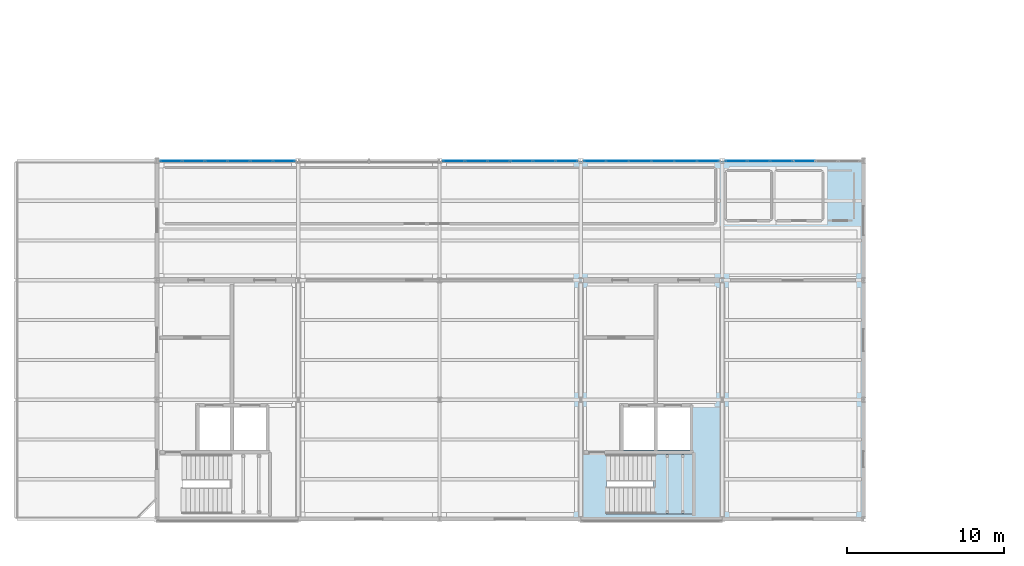
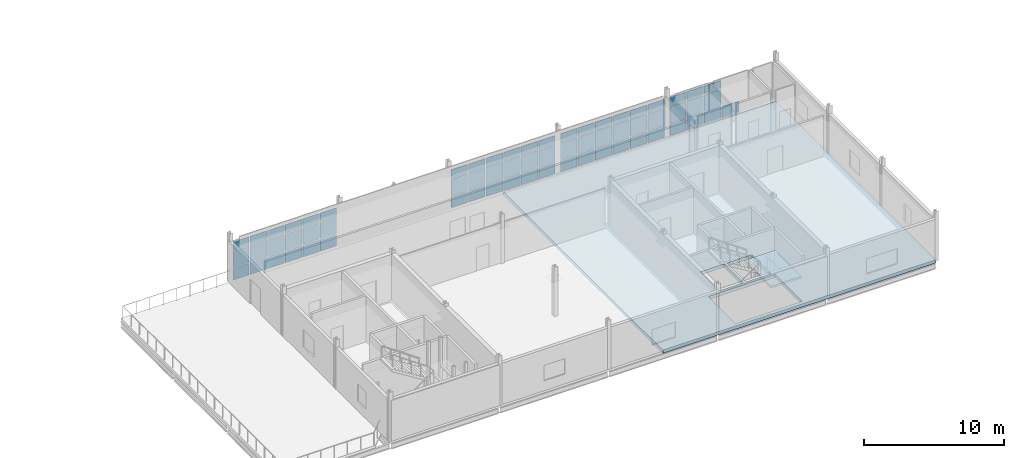
# One storey, part 33 of 48: 64 plates, 2 slabs, 5 elements without a shape of their own.
"""IFC4 building model written with IfcOpenShell, lengths in metres."""

import ifcopenshell
import ifcopenshell.guid

model = None  # the IFC model being written
_history = None  # IfcOwnerHistory: only IFC2X3 demands one
_inside = {}  # id of a spatial element -> (the spatial element, [elements in it])
_under = {}  # id of a project, library or spatial element -> (it, [spatial elements below it])
_declared = {}  # id of a project -> (the project, [libraries it declares])
_typed = {}  # id of a type object -> (the type object, [elements of that type])
_made_of = {}  # id of a material, layer set ... -> (it, [elements and type objects made of it])


def new_model(schema):
    """Start an empty IFC model of exactly this schema.

    Asked for "IFC4X3", IfcOpenShell would pick the latest addendum, in which some entities
    have other attributes; the version numbers below select the first issue.
    IFC2X3 requires an IfcOwnerHistory on every rooted entity: one is made here for all.
    """
    global model, _history
    if schema == "IFC4X3":
        model = ifcopenshell.file(schema_version=(4, 3, 0, 0))
    else:
        model = ifcopenshell.file(schema=schema)
    _inside.clear()
    _under.clear()
    _declared.clear()
    _typed.clear()
    _made_of.clear()
    _history = None
    if model.schema == "IFC2X3":
        org = make("IfcOrganization", Name="unknown")
        user = make(
            "IfcPersonAndOrganization",
            ThePerson=make("IfcPerson", FamilyName="unknown"),
            TheOrganization=org,
        )
        app = make(
            "IfcApplication",
            ApplicationDeveloper=org,
            Version="unknown",
            ApplicationFullName="unknown",
            ApplicationIdentifier="unknown",
        )
        _history = make(
            "IfcOwnerHistory",
            OwningUser=user,
            OwningApplication=app,
            ChangeAction="ADDED",
            CreationDate=0,
        )
    return model


def make(cls, **values):
    """One entity of the class cls with the attributes given. An attribute that is None is left unset."""
    return model.create_entity(
        cls, **{name: value for name, value in values.items() if value is not None}
    )


def rooted(cls, **values):
    """An entity with a GlobalId (a new one), such as an element, a storey or a relation."""
    return make(cls, GlobalId=ifcopenshell.guid.new(), OwnerHistory=_history, **values)


def si_unit(unit_type, name, prefix=None):
    """IfcSIUnit, for example si_unit("LENGTHUNIT", "METRE", prefix="MILLI")."""
    return make("IfcSIUnit", UnitType=unit_type, Prefix=prefix, Name=name)


def assignment(units):
    """IfcUnitAssignment: the units of a project."""
    return None if units is None else make("IfcUnitAssignment", Units=units)


def point(xyz):
    """IfcCartesianPoint."""
    return None if xyz is None else make("IfcCartesianPoint", Coordinates=xyz)


def direction(xyz):
    """IfcDirection."""
    return None if xyz is None else make("IfcDirection", DirectionRatios=xyz)


def frame(location, z_axis=None, x_axis=None):
    """IfcAxis2Placement3D, a coordinate frame: its origin and axes. An axis left out is left unset."""
    return make(
        "IfcAxis2Placement3D",
        Location=point(location),
        Axis=direction(z_axis),
        RefDirection=direction(x_axis),
    )


def frame_2d(location, x_axis=None):
    """IfcAxis2Placement2D, a coordinate frame in the plane: its origin and x axis."""
    return make(
        "IfcAxis2Placement2D", Location=point(location), RefDirection=direction(x_axis)
    )


def origin():
    """The frame at (0, 0, 0) with its axes left unset."""
    return frame((0.0, 0.0, 0.0))


def origin_2d():
    """The frame at (0, 0) in the plane with its x axis left unset."""
    return frame_2d((0.0, 0.0))


def place(relative_to, where):
    """IfcLocalPlacement: puts the frame where relative to a parent placement (None: the world)."""
    return make(
        "IfcLocalPlacement", PlacementRelTo=relative_to, RelativePlacement=where
    )


def context(
    kind, dimensions, precision=None, world=None, true_north=None, identifier=None
):
    """IfcGeometricRepresentationContext, for example the 3D "Model" context."""
    return make(
        "IfcGeometricRepresentationContext",
        ContextIdentifier=identifier,
        ContextType=kind,
        CoordinateSpaceDimension=dimensions,
        Precision=precision,
        WorldCoordinateSystem=world,
        TrueNorth=true_north,
    )


def subcontext(parent, identifier, kind, view, scale=None):
    """IfcGeometricRepresentationSubContext, for example "Body" below "Model"."""
    return make(
        "IfcGeometricRepresentationSubContext",
        ContextIdentifier=identifier,
        ContextType=kind,
        ParentContext=parent,
        TargetScale=scale,
        TargetView=view,
    )


def project(units=None, contexts=None):
    """IfcProject with its units and contexts."""
    return rooted(
        "IfcProject",
        Name="project",
        RepresentationContexts=contexts,
        UnitsInContext=assignment(units),
    )


def spatial(cls, under=None, at=None, **own):
    """A site, building, storey or space (cls), placed at a placement, below another one or the project."""
    s = rooted(cls, ObjectPlacement=at, **own)
    if under is not None:
        _under.setdefault(under.id(), (under, []))[1].append(s)
    return s


def polyline(points):
    """IfcPolyline through the points."""
    return make("IfcPolyline", Points=[point(p) for p in points])


def profile(cls, at=None, kind="AREA", **sizes):
    """A parametric profile (cls). Its sizes go by their IFC names, for example OverallWidth=200.0."""
    return make(cls, ProfileType=kind, Position=at, **sizes)


def rectangle(**sizes):
    """IfcRectangleProfileDef."""
    return profile("IfcRectangleProfileDef", **sizes)


def outline(outer, holes=None, kind="AREA"):
    """IfcArbitraryClosedProfileDef: a profile drawn as a closed curve; with holes, ...WithVoids."""
    if holes is None:
        return make("IfcArbitraryClosedProfileDef", ProfileType=kind, OuterCurve=outer)
    return make(
        "IfcArbitraryProfileDefWithVoids",
        ProfileType=kind,
        OuterCurve=outer,
        InnerCurves=holes,
    )


def extrude(swept, where, along, depth):
    """IfcExtrudedAreaSolid: the profile swept, set in the frame where, extruded along a direction by depth."""
    return make(
        "IfcExtrudedAreaSolid",
        SweptArea=swept,
        Position=where,
        ExtrudedDirection=direction(along),
        Depth=depth,
    )


def shape(context_of_items, identifier, shape_type, items):
    """IfcShapeRepresentation: the items that make up one representation, for example the "Body"."""
    return make(
        "IfcShapeRepresentation",
        ContextOfItems=context_of_items,
        RepresentationIdentifier=identifier,
        RepresentationType=shape_type,
        Items=items,
    )


def material(Name=None, Category=None):
    """IfcMaterial."""
    return make("IfcMaterial", Name=Name, Category=Category)


def layer(
    of_material, thickness, ventilated=None, Name=None, Category=None, Priority=None
):
    """IfcMaterialLayer: one layer of a wall or slab, of a material (None: an air gap)."""
    return make(
        "IfcMaterialLayer",
        Material=of_material,
        LayerThickness=thickness,
        IsVentilated=ventilated,
        Name=Name,
        Category=Category,
        Priority=Priority,
    )


def layer_set(layers, Name=None):
    """IfcMaterialLayerSet."""
    return make("IfcMaterialLayerSet", MaterialLayers=layers, LayerSetName=Name)


def made_of(thing, what):
    """Note that an element or type object is made of a material, layer set ...; save() writes the relation."""
    if what is not None:
        _made_of.setdefault(what.id(), (what, []))[1].append(thing)
    return thing


def type_object(cls, material=None, **own):
    """A type object (cls), such as IfcWallType, which elements share."""
    return made_of(rooted(cls, **own), material)


def element(
    cls,
    number,
    at=None,
    inside=None,
    cuts=None,
    type_object=None,
    material=None,
    context=None,
    identifier="Body",
    shape_type=None,
    held_by="IfcProductDefinitionShape",
    body=None,
    shapes=None,
    **own,
):
    """One element of the class cls, such as IfcWall. Its Tag is "e" and its number.

    at: its placement. inside: the storey or other place that contains it. cuts: it is an
    opening in that element (IfcRelVoidsElement). A single representation is given by context,
    identifier, shape_type and body (its items); several are given by shapes. held_by: the class
    of the entity that holds the representations. save() writes the other relations.
    """
    e = rooted(cls, Tag="e%d" % number, ObjectPlacement=at, **own)
    if body is not None:
        shapes = [shape(context, identifier, shape_type, body)]
    if shapes is not None:
        e.Representation = make(held_by, Representations=shapes)
    if inside is not None:
        _inside.setdefault(inside.id(), (inside, []))[1].append(e)
    if cuts is not None:
        rooted(
            "IfcRelVoidsElement", RelatingBuildingElement=cuts, RelatedOpeningElement=e
        )
    if type_object is not None:
        _typed.setdefault(type_object.id(), (type_object, []))[1].append(e)
    return made_of(e, material)


def aggregate(whole, parts):
    """IfcRelAggregates: a whole, such as a stair, and the parts it consists of."""
    return rooted("IfcRelAggregates", RelatingObject=whole, RelatedObjects=parts)


def save(model, path):
    """Write the relations noted so far, then the file.

    IfcRelAggregates (storeys below a building ...), IfcRelContainedInSpatialStructure (elements
    in a storey), IfcRelDefinesByType, IfcRelAssociatesMaterial and IfcRelDeclares: one each for
    every whole, place, type object, material and project.
    """
    for whole, parts in _under.values():
        aggregate(whole, parts)
    for where, things in _inside.values():
        rooted(
            "IfcRelContainedInSpatialStructure",
            RelatedElements=things,
            RelatingStructure=where,
        )
    for kind, things in _typed.values():
        rooted("IfcRelDefinesByType", RelatedObjects=things, RelatingType=kind)
    for what, things in _made_of.values():
        rooted("IfcRelAssociatesMaterial", RelatedObjects=things, RelatingMaterial=what)
    for by, libraries in _declared.values():
        rooted("IfcRelDeclares", RelatingContext=by, RelatedDefinitions=libraries)
    model.write(path)


model = new_model("IFC4")

# Units and contexts
model_context = context("Model", 3, precision=1e-05, world=origin(), true_north=direction((0.0, 1.0)))
body_context = subcontext(model_context, "Body", "Model", "MODEL_VIEW")
ifc_project = project(units=[si_unit("LENGTHUNIT", "METRE"), si_unit("AREAUNIT", "SQUARE_METRE"), si_unit("VOLUMEUNIT", "CUBIC_METRE"), si_unit("PLANEANGLEUNIT", "RADIAN"), si_unit("MASSUNIT", "GRAM", prefix="KILO")], contexts=[model_context])

# Site, building, storey
site_placement = place(None, origin())
site = spatial("IfcSite", under=ifc_project, at=site_placement, CompositionType="ELEMENT")
building_placement = place(site_placement, origin())
building = spatial("IfcBuilding", under=site, at=building_placement, Name="Caisbarro Railhouse Central Library", CompositionType="ELEMENT")
storey_placement = place(building_placement, frame((0.0, 0.0, 18.0)))
storey = spatial("IfcBuildingStorey", under=building, at=storey_placement, Name="L04", CompositionType="ELEMENT", Elevation=18.0)

# Curtain wall, plates
ifc_material_1 = material(Name="Anodised architectural aluminium", Category="aluminium")
curtain_wall_type = type_object("IfcCurtainWallType", Name="CW-CW02", PredefinedType="NOTDEFINED", material=ifc_material_1)
curtain_wall_1_placement = place(storey_placement, origin())
curtain_wall_1 = element("IfcCurtainWall", 1, at=curtain_wall_1_placement, inside=storey, type_object=curtain_wall_type, Name="CW02 curtain wall L04 #67", PredefinedType="NOTDEFINED")
ifc_material_2 = material(Name="Double low-e laminated solar-control glass", Category="glass")
ifc_layer_1 = layer(ifc_material_2, 0.01806640625, Name="Double low-e laminated solar-control glass")
ifc_layer_set_1 = layer_set([ifc_layer_1], Name="Double low-e laminated solar-control glass")
plate_type_1 = type_object("IfcPlateType", Name="CWP-CP18", PredefinedType="CURTAIN_PANEL", material=ifc_layer_set_1)
plate_1_placement = place(storey_placement, frame((63.902099609375, 22.800048828125, 0.0751953125), z_axis=(0.0, 0.0, 1.0), x_axis=(1.0, 0.0, 0.0)))
plate_1 = element("IfcPlate", 2, at=plate_1_placement, type_object=plate_type_1, Name="CW02 panel 1.1", PredefinedType="CURTAIN_PANEL", context=body_context, shape_type="SweptSolid", body=[
    extrude(rectangle(XDim=1.334228515625, YDim=0.01806640625, at=origin_2d()), origin(), (0.0, 0.0, 1.0), 1.007568359375),
])
plate_2_placement = place(storey_placement, frame((63.902099609375, 22.800048828125, 1.15771484375), z_axis=(0.0, 0.0, 1.0), x_axis=(1.0, 0.0, 0.0)))
plate_2 = element("IfcPlate", 3, at=plate_2_placement, type_object=plate_type_1, Name="CW02 panel 1.2", PredefinedType="CURTAIN_PANEL", context=body_context, shape_type="SweptSolid", body=[
    extrude(rectangle(XDim=1.334228515625, YDim=0.01806640625, at=origin_2d()), origin(), (0.0, 0.0, 1.0), 1.425048828125),
])
plate_3_placement = place(storey_placement, frame((63.902099609375, 22.800048828125, 2.65771484375), z_axis=(0.0, 0.0, 1.0), x_axis=(1.0, 0.0, 0.0)))
plate_3 = element("IfcPlate", 4, at=plate_3_placement, type_object=plate_type_1, Name="CW02 panel 1.3", PredefinedType="CURTAIN_PANEL", context=body_context, shape_type="SweptSolid", body=[
    extrude(rectangle(XDim=1.334228515625, YDim=0.01806640625, at=origin_2d()), origin(), (0.0, 0.0, 1.0), 0.737548828125),
])
plate_4_placement = place(storey_placement, frame((65.330078125, 22.800048828125, 0.0751953125), z_axis=(0.0, 0.0, 1.0), x_axis=(1.0, 0.0, 0.0)))
plate_4 = element("IfcPlate", 5, at=plate_4_placement, type_object=plate_type_1, Name="CW02 panel 2.1", PredefinedType="CURTAIN_PANEL", context=body_context, shape_type="SweptSolid", body=[
    extrude(rectangle(XDim=1.37158203125, YDim=0.01806640625, at=origin_2d()), origin(), (0.0, 0.0, 1.0), 1.007568359375),
])
plate_5_placement = place(storey_placement, frame((65.330078125, 22.800048828125, 1.15771484375), z_axis=(0.0, 0.0, 1.0), x_axis=(1.0, 0.0, 0.0)))
plate_5 = element("IfcPlate", 6, at=plate_5_placement, type_object=plate_type_1, Name="CW02 panel 2.2", PredefinedType="CURTAIN_PANEL", context=body_context, shape_type="SweptSolid", body=[
    extrude(rectangle(XDim=1.37158203125, YDim=0.01806640625, at=origin_2d()), origin(), (0.0, 0.0, 1.0), 1.425048828125),
])
plate_6_placement = place(storey_placement, frame((65.330078125, 22.800048828125, 2.65771484375), z_axis=(0.0, 0.0, 1.0), x_axis=(1.0, 0.0, 0.0)))
plate_6 = element("IfcPlate", 7, at=plate_6_placement, type_object=plate_type_1, Name="CW02 panel 2.3", PredefinedType="CURTAIN_PANEL", context=body_context, shape_type="SweptSolid", body=[
    extrude(rectangle(XDim=1.37158203125, YDim=0.01806640625, at=origin_2d()), origin(), (0.0, 0.0, 1.0), 0.737548828125),
])
plate_7_placement = place(storey_placement, frame((66.776611328125, 22.800048828125, 0.0751953125), z_axis=(0.0, 0.0, 1.0), x_axis=(1.0, 0.0, 0.0)))
plate_7 = element("IfcPlate", 8, at=plate_7_placement, type_object=plate_type_1, Name="CW02 panel 3.1", PredefinedType="CURTAIN_PANEL", context=body_context, shape_type="SweptSolid", body=[
    extrude(rectangle(XDim=1.37158203125, YDim=0.01806640625, at=origin_2d()), origin(), (0.0, 0.0, 1.0), 1.007568359375),
])
plate_8_placement = place(storey_placement, frame((66.776611328125, 22.800048828125, 1.15771484375), z_axis=(0.0, 0.0, 1.0), x_axis=(1.0, 0.0, 0.0)))
plate_8 = element("IfcPlate", 9, at=plate_8_placement, type_object=plate_type_1, Name="CW02 panel 3.2", PredefinedType="CURTAIN_PANEL", context=body_context, shape_type="SweptSolid", body=[
    extrude(rectangle(XDim=1.37158203125, YDim=0.01806640625, at=origin_2d()), origin(), (0.0, 0.0, 1.0), 1.425048828125),
])
plate_9_placement = place(storey_placement, frame((66.776611328125, 22.800048828125, 2.65771484375), z_axis=(0.0, 0.0, 1.0), x_axis=(1.0, 0.0, 0.0)))
plate_9 = element("IfcPlate", 10, at=plate_9_placement, type_object=plate_type_1, Name="CW02 panel 3.3", PredefinedType="CURTAIN_PANEL", context=body_context, shape_type="SweptSolid", body=[
    extrude(rectangle(XDim=1.37158203125, YDim=0.01806640625, at=origin_2d()), origin(), (0.0, 0.0, 1.0), 0.737548828125),
])
plate_10_placement = place(storey_placement, frame((68.223388671875, 22.800048828125, 0.0751953125), z_axis=(0.0, 0.0, 1.0), x_axis=(1.0, 0.0, 0.0)))
plate_10 = element("IfcPlate", 11, at=plate_10_placement, type_object=plate_type_1, Name="CW02 panel 4.1", PredefinedType="CURTAIN_PANEL", context=body_context, shape_type="SweptSolid", body=[
    extrude(rectangle(XDim=1.37158203125, YDim=0.01806640625, at=origin_2d()), origin(), (0.0, 0.0, 1.0), 1.007568359375),
])
plate_11_placement = place(storey_placement, frame((68.223388671875, 22.800048828125, 1.15771484375), z_axis=(0.0, 0.0, 1.0), x_axis=(1.0, 0.0, 0.0)))
plate_11 = element("IfcPlate", 12, at=plate_11_placement, type_object=plate_type_1, Name="CW02 panel 4.2", PredefinedType="CURTAIN_PANEL", context=body_context, shape_type="SweptSolid", body=[
    extrude(rectangle(XDim=1.37158203125, YDim=0.01806640625, at=origin_2d()), origin(), (0.0, 0.0, 1.0), 1.425048828125),
])
plate_12_placement = place(storey_placement, frame((68.223388671875, 22.800048828125, 2.65771484375), z_axis=(0.0, 0.0, 1.0), x_axis=(1.0, 0.0, 0.0)))
plate_12 = element("IfcPlate", 13, at=plate_12_placement, type_object=plate_type_1, Name="CW02 panel 4.3", PredefinedType="CURTAIN_PANEL", context=body_context, shape_type="SweptSolid", body=[
    extrude(rectangle(XDim=1.37158203125, YDim=0.01806640625, at=origin_2d()), origin(), (0.0, 0.0, 1.0), 0.737548828125),
])
plate_13_placement = place(storey_placement, frame((69.669921875, 22.800048828125, 0.0751953125), z_axis=(0.0, 0.0, 1.0), x_axis=(1.0, 0.0, 0.0)))
plate_13 = element("IfcPlate", 14, at=plate_13_placement, type_object=plate_type_1, Name="CW02 panel 5.1", PredefinedType="CURTAIN_PANEL", context=body_context, shape_type="SweptSolid", body=[
    extrude(rectangle(XDim=1.37158203125, YDim=0.01806640625, at=origin_2d()), origin(), (0.0, 0.0, 1.0), 1.007568359375),
])
plate_14_placement = place(storey_placement, frame((69.669921875, 22.800048828125, 1.15771484375), z_axis=(0.0, 0.0, 1.0), x_axis=(1.0, 0.0, 0.0)))
plate_14 = element("IfcPlate", 15, at=plate_14_placement, type_object=plate_type_1, Name="CW02 panel 5.2", PredefinedType="CURTAIN_PANEL", context=body_context, shape_type="SweptSolid", body=[
    extrude(rectangle(XDim=1.37158203125, YDim=0.01806640625, at=origin_2d()), origin(), (0.0, 0.0, 1.0), 1.425048828125),
])
plate_15_placement = place(storey_placement, frame((69.669921875, 22.800048828125, 2.65771484375), z_axis=(0.0, 0.0, 1.0), x_axis=(1.0, 0.0, 0.0)))
plate_15 = element("IfcPlate", 16, at=plate_15_placement, type_object=plate_type_1, Name="CW02 panel 5.3", PredefinedType="CURTAIN_PANEL", context=body_context, shape_type="SweptSolid", body=[
    extrude(rectangle(XDim=1.37158203125, YDim=0.01806640625, at=origin_2d()), origin(), (0.0, 0.0, 1.0), 0.737548828125),
])
plate_16_placement = place(storey_placement, frame((71.097900390625, 22.800048828125, 0.0751953125), z_axis=(0.0, 0.0, 1.0), x_axis=(1.0, 0.0, 0.0)))
plate_16 = element("IfcPlate", 17, at=plate_16_placement, type_object=plate_type_1, Name="CW02 panel 6.1", PredefinedType="CURTAIN_PANEL", context=body_context, shape_type="SweptSolid", body=[
    extrude(rectangle(XDim=1.334228515625, YDim=0.01806640625, at=origin_2d()), origin(), (0.0, 0.0, 1.0), 1.007568359375),
])
plate_17_placement = place(storey_placement, frame((71.097900390625, 22.800048828125, 1.15771484375), z_axis=(0.0, 0.0, 1.0), x_axis=(1.0, 0.0, 0.0)))
plate_17 = element("IfcPlate", 18, at=plate_17_placement, type_object=plate_type_1, Name="CW02 panel 6.2", PredefinedType="CURTAIN_PANEL", context=body_context, shape_type="SweptSolid", body=[
    extrude(rectangle(XDim=1.334228515625, YDim=0.01806640625, at=origin_2d()), origin(), (0.0, 0.0, 1.0), 1.425048828125),
])
plate_18_placement = place(storey_placement, frame((71.097900390625, 22.800048828125, 2.65771484375), z_axis=(0.0, 0.0, 1.0), x_axis=(1.0, 0.0, 0.0)))
plate_18 = element("IfcPlate", 19, at=plate_18_placement, type_object=plate_type_1, Name="CW02 panel 6.3", PredefinedType="CURTAIN_PANEL", context=body_context, shape_type="SweptSolid", body=[
    extrude(rectangle(XDim=1.334228515625, YDim=0.01806640625, at=origin_2d()), origin(), (0.0, 0.0, 1.0), 0.737548828125),
])
aggregate(curtain_wall_1, [plate_1, plate_2, plate_3, plate_4, plate_5, plate_6, plate_7, plate_8, plate_9, plate_10, plate_11, plate_12, plate_13, plate_14, plate_15, plate_16, plate_17, plate_18])

curtain_wall_2_placement = place(storey_placement, origin())
curtain_wall_2 = element("IfcCurtainWall", 20, at=curtain_wall_2_placement, inside=storey, type_object=curtain_wall_type, Name="CW02 curtain wall L04 #68", PredefinedType="NOTDEFINED")
ifc_layer_2 = layer(ifc_material_2, 0.0380859375, Name="Double low-e laminated solar-control glass")
ifc_layer_set_2 = layer_set([ifc_layer_2], Name="Double low-e laminated solar-control glass")
plate_type_2 = type_object("IfcPlateType", Name="CWP-CP38", PredefinedType="CURTAIN_PANEL", material=ifc_layer_set_2)
plate_19_placement = place(storey_placement, frame((81.902099609375, 22.800048828125, 0.0751953125), z_axis=(0.0, 0.0, 1.0), x_axis=(1.0, 0.0, 0.0)))
plate_19 = element("IfcPlate", 21, at=plate_19_placement, type_object=plate_type_2, Name="CW02 panel 1.1", PredefinedType="CURTAIN_PANEL", context=body_context, shape_type="SweptSolid", body=[
    extrude(rectangle(XDim=1.334228515625, YDim=0.0380859375, at=origin_2d()), origin(), (0.0, 0.0, 1.0), 1.007568359375),
])
plate_20_placement = place(storey_placement, frame((81.902099609375, 22.800048828125, 1.15771484375), z_axis=(0.0, 0.0, 1.0), x_axis=(1.0, 0.0, 0.0)))
plate_20 = element("IfcPlate", 22, at=plate_20_placement, type_object=plate_type_2, Name="CW02 panel 1.2", PredefinedType="CURTAIN_PANEL", context=body_context, shape_type="SweptSolid", body=[
    extrude(rectangle(XDim=1.334228515625, YDim=0.0380859375, at=origin_2d()), origin(), (0.0, 0.0, 1.0), 1.425048828125),
])
plate_21_placement = place(storey_placement, frame((81.902099609375, 22.800048828125, 2.65771484375), z_axis=(0.0, 0.0, 1.0), x_axis=(1.0, 0.0, 0.0)))
plate_21 = element("IfcPlate", 23, at=plate_21_placement, type_object=plate_type_2, Name="CW02 panel 1.3", PredefinedType="CURTAIN_PANEL", context=body_context, shape_type="SweptSolid", body=[
    extrude(rectangle(XDim=1.334228515625, YDim=0.0380859375, at=origin_2d()), origin(), (0.0, 0.0, 1.0), 0.737548828125),
])
plate_22_placement = place(storey_placement, frame((83.330078125, 22.800048828125, 0.0751953125), z_axis=(0.0, 0.0, 1.0), x_axis=(1.0, 0.0, 0.0)))
plate_22 = element("IfcPlate", 24, at=plate_22_placement, type_object=plate_type_2, Name="CW02 panel 2.1", PredefinedType="CURTAIN_PANEL", context=body_context, shape_type="SweptSolid", body=[
    extrude(rectangle(XDim=1.37158203125, YDim=0.0380859375, at=origin_2d()), origin(), (0.0, 0.0, 1.0), 1.007568359375),
])
plate_23_placement = place(storey_placement, frame((83.330078125, 22.800048828125, 1.15771484375), z_axis=(0.0, 0.0, 1.0), x_axis=(1.0, 0.0, 0.0)))
plate_23 = element("IfcPlate", 25, at=plate_23_placement, type_object=plate_type_2, Name="CW02 panel 2.2", PredefinedType="CURTAIN_PANEL", context=body_context, shape_type="SweptSolid", body=[
    extrude(rectangle(XDim=1.37158203125, YDim=0.0380859375, at=origin_2d()), origin(), (0.0, 0.0, 1.0), 1.425048828125),
])
plate_24_placement = place(storey_placement, frame((83.330078125, 22.800048828125, 2.65771484375), z_axis=(0.0, 0.0, 1.0), x_axis=(1.0, 0.0, 0.0)))
plate_24 = element("IfcPlate", 26, at=plate_24_placement, type_object=plate_type_2, Name="CW02 panel 2.3", PredefinedType="CURTAIN_PANEL", context=body_context, shape_type="SweptSolid", body=[
    extrude(rectangle(XDim=1.37158203125, YDim=0.0380859375, at=origin_2d()), origin(), (0.0, 0.0, 1.0), 0.737548828125),
])
plate_25_placement = place(storey_placement, frame((84.776611328125, 22.800048828125, 0.0751953125), z_axis=(0.0, 0.0, 1.0), x_axis=(1.0, 0.0, 0.0)))
plate_25 = element("IfcPlate", 27, at=plate_25_placement, type_object=plate_type_2, Name="CW02 panel 3.1", PredefinedType="CURTAIN_PANEL", context=body_context, shape_type="SweptSolid", body=[
    extrude(rectangle(XDim=1.37158203125, YDim=0.0380859375, at=origin_2d()), origin(), (0.0, 0.0, 1.0), 1.007568359375),
])
plate_26_placement = place(storey_placement, frame((84.776611328125, 22.800048828125, 1.15771484375), z_axis=(0.0, 0.0, 1.0), x_axis=(1.0, 0.0, 0.0)))
plate_26 = element("IfcPlate", 28, at=plate_26_placement, type_object=plate_type_2, Name="CW02 panel 3.2", PredefinedType="CURTAIN_PANEL", context=body_context, shape_type="SweptSolid", body=[
    extrude(rectangle(XDim=1.37158203125, YDim=0.0380859375, at=origin_2d()), origin(), (0.0, 0.0, 1.0), 1.425048828125),
])
plate_27_placement = place(storey_placement, frame((84.776611328125, 22.800048828125, 2.65771484375), z_axis=(0.0, 0.0, 1.0), x_axis=(1.0, 0.0, 0.0)))
plate_27 = element("IfcPlate", 29, at=plate_27_placement, type_object=plate_type_2, Name="CW02 panel 3.3", PredefinedType="CURTAIN_PANEL", context=body_context, shape_type="SweptSolid", body=[
    extrude(rectangle(XDim=1.37158203125, YDim=0.0380859375, at=origin_2d()), origin(), (0.0, 0.0, 1.0), 0.737548828125),
])
plate_28_placement = place(storey_placement, frame((86.223388671875, 22.800048828125, 0.0751953125), z_axis=(0.0, 0.0, 1.0), x_axis=(1.0, 0.0, 0.0)))
plate_28 = element("IfcPlate", 30, at=plate_28_placement, type_object=plate_type_2, Name="CW02 panel 4.1", PredefinedType="CURTAIN_PANEL", context=body_context, shape_type="SweptSolid", body=[
    extrude(rectangle(XDim=1.37158203125, YDim=0.0380859375, at=origin_2d()), origin(), (0.0, 0.0, 1.0), 1.007568359375),
])
plate_29_placement = place(storey_placement, frame((86.223388671875, 22.800048828125, 1.15771484375), z_axis=(0.0, 0.0, 1.0), x_axis=(1.0, 0.0, 0.0)))
plate_29 = element("IfcPlate", 31, at=plate_29_placement, type_object=plate_type_2, Name="CW02 panel 4.2", PredefinedType="CURTAIN_PANEL", context=body_context, shape_type="SweptSolid", body=[
    extrude(rectangle(XDim=1.37158203125, YDim=0.0380859375, at=origin_2d()), origin(), (0.0, 0.0, 1.0), 1.425048828125),
])
plate_30_placement = place(storey_placement, frame((86.223388671875, 22.800048828125, 2.65771484375), z_axis=(0.0, 0.0, 1.0), x_axis=(1.0, 0.0, 0.0)))
plate_30 = element("IfcPlate", 32, at=plate_30_placement, type_object=plate_type_2, Name="CW02 panel 4.3", PredefinedType="CURTAIN_PANEL", context=body_context, shape_type="SweptSolid", body=[
    extrude(rectangle(XDim=1.37158203125, YDim=0.0380859375, at=origin_2d()), origin(), (0.0, 0.0, 1.0), 0.737548828125),
])
plate_31_placement = place(storey_placement, frame((87.669921875, 22.800048828125, 0.0751953125), z_axis=(0.0, 0.0, 1.0), x_axis=(1.0, 0.0, 0.0)))
plate_31 = element("IfcPlate", 33, at=plate_31_placement, type_object=plate_type_2, Name="CW02 panel 5.1", PredefinedType="CURTAIN_PANEL", context=body_context, shape_type="SweptSolid", body=[
    extrude(rectangle(XDim=1.37158203125, YDim=0.0380859375, at=origin_2d()), origin(), (0.0, 0.0, 1.0), 1.007568359375),
])
plate_32_placement = place(storey_placement, frame((87.669921875, 22.800048828125, 1.15771484375), z_axis=(0.0, 0.0, 1.0), x_axis=(1.0, 0.0, 0.0)))
plate_32 = element("IfcPlate", 34, at=plate_32_placement, type_object=plate_type_2, Name="CW02 panel 5.2", PredefinedType="CURTAIN_PANEL", context=body_context, shape_type="SweptSolid", body=[
    extrude(rectangle(XDim=1.37158203125, YDim=0.0380859375, at=origin_2d()), origin(), (0.0, 0.0, 1.0), 1.425048828125),
])
plate_33_placement = place(storey_placement, frame((87.669921875, 22.800048828125, 2.65771484375), z_axis=(0.0, 0.0, 1.0), x_axis=(1.0, 0.0, 0.0)))
plate_33 = element("IfcPlate", 35, at=plate_33_placement, type_object=plate_type_2, Name="CW02 panel 5.3", PredefinedType="CURTAIN_PANEL", context=body_context, shape_type="SweptSolid", body=[
    extrude(rectangle(XDim=1.37158203125, YDim=0.0380859375, at=origin_2d()), origin(), (0.0, 0.0, 1.0), 0.737548828125),
])
plate_34_placement = place(storey_placement, frame((89.097900390625, 22.800048828125, 0.0751953125), z_axis=(0.0, 0.0, 1.0), x_axis=(1.0, 0.0, 0.0)))
plate_34 = element("IfcPlate", 36, at=plate_34_placement, type_object=plate_type_2, Name="CW02 panel 6.1", PredefinedType="CURTAIN_PANEL", context=body_context, shape_type="SweptSolid", body=[
    extrude(rectangle(XDim=1.334228515625, YDim=0.0380859375, at=origin_2d()), origin(), (0.0, 0.0, 1.0), 1.007568359375),
])
plate_35_placement = place(storey_placement, frame((89.097900390625, 22.800048828125, 1.15771484375), z_axis=(0.0, 0.0, 1.0), x_axis=(1.0, 0.0, 0.0)))
plate_35 = element("IfcPlate", 37, at=plate_35_placement, type_object=plate_type_2, Name="CW02 panel 6.2", PredefinedType="CURTAIN_PANEL", context=body_context, shape_type="SweptSolid", body=[
    extrude(rectangle(XDim=1.334228515625, YDim=0.0380859375, at=origin_2d()), origin(), (0.0, 0.0, 1.0), 1.425048828125),
])
plate_36_placement = place(storey_placement, frame((89.097900390625, 22.800048828125, 2.65771484375), z_axis=(0.0, 0.0, 1.0), x_axis=(1.0, 0.0, 0.0)))
plate_36 = element("IfcPlate", 38, at=plate_36_placement, type_object=plate_type_2, Name="CW02 panel 6.3", PredefinedType="CURTAIN_PANEL", context=body_context, shape_type="SweptSolid", body=[
    extrude(rectangle(XDim=1.334228515625, YDim=0.0380859375, at=origin_2d()), origin(), (0.0, 0.0, 1.0), 0.737548828125),
])
aggregate(curtain_wall_2, [plate_19, plate_20, plate_21, plate_22, plate_23, plate_24, plate_25, plate_26, plate_27, plate_28, plate_29, plate_30, plate_31, plate_32, plate_33, plate_34, plate_35, plate_36])

curtain_wall_3_placement = place(storey_placement, origin())
curtain_wall_3 = element("IfcCurtainWall", 39, at=curtain_wall_3_placement, inside=storey, type_object=curtain_wall_type, Name="CW02 curtain wall L04 #69", PredefinedType="NOTDEFINED")
ifc_layer_3 = layer(ifc_material_2, 0.048095703125, Name="Double low-e laminated solar-control glass")
ifc_layer_set_3 = layer_set([ifc_layer_3], Name="Double low-e laminated solar-control glass")
plate_type_3 = type_object("IfcPlateType", Name="CWP-CP48", PredefinedType="CURTAIN_PANEL", material=ifc_layer_set_3)
plate_37_placement = place(storey_placement, frame((90.899658203125, 22.800048828125, 0.0751953125), z_axis=(0.0, 0.0, 1.0), x_axis=(1.0, 0.0, 0.0)))
plate_37 = element("IfcPlate", 40, at=plate_37_placement, type_object=plate_type_3, Name="CW02 panel 1.1", PredefinedType="CURTAIN_PANEL", context=body_context, shape_type="SweptSolid", body=[
    extrude(rectangle(XDim=1.34912109375, YDim=0.048095703125, at=origin_2d()), origin(), (0.0, 0.0, 1.0), 1.007568359375),
])
plate_38_placement = place(storey_placement, frame((90.899658203125, 22.800048828125, 1.15771484375), z_axis=(0.0, 0.0, 1.0), x_axis=(1.0, 0.0, 0.0)))
plate_38 = element("IfcPlate", 41, at=plate_38_placement, type_object=plate_type_3, Name="CW02 panel 1.2", PredefinedType="CURTAIN_PANEL", context=body_context, shape_type="SweptSolid", body=[
    extrude(rectangle(XDim=1.34912109375, YDim=0.048095703125, at=origin_2d()), origin(), (0.0, 0.0, 1.0), 1.425048828125),
])
plate_39_placement = place(storey_placement, frame((90.899658203125, 22.800048828125, 2.65771484375), z_axis=(0.0, 0.0, 1.0), x_axis=(1.0, 0.0, 0.0)))
plate_39 = element("IfcPlate", 42, at=plate_39_placement, type_object=plate_type_3, Name="CW02 panel 1.3", PredefinedType="CURTAIN_PANEL", context=body_context, shape_type="SweptSolid", body=[
    extrude(rectangle(XDim=1.34912109375, YDim=0.048095703125, at=origin_2d()), origin(), (0.0, 0.0, 1.0), 0.737548828125),
])
plate_40_placement = place(storey_placement, frame((92.330078125, 22.800048828125, 0.0751953125), z_axis=(0.0, 0.0, 1.0), x_axis=(1.0, 0.0, 0.0)))
plate_40 = element("IfcPlate", 43, at=plate_40_placement, type_object=plate_type_3, Name="CW02 panel 2.1", PredefinedType="CURTAIN_PANEL", context=body_context, shape_type="SweptSolid", body=[
    extrude(rectangle(XDim=1.381591796875, YDim=0.048095703125, at=origin_2d()), origin(), (0.0, 0.0, 1.0), 1.007568359375),
])
plate_41_placement = place(storey_placement, frame((92.330078125, 22.800048828125, 1.15771484375), z_axis=(0.0, 0.0, 1.0), x_axis=(1.0, 0.0, 0.0)))
plate_41 = element("IfcPlate", 44, at=plate_41_placement, type_object=plate_type_3, Name="CW02 panel 2.2", PredefinedType="CURTAIN_PANEL", context=body_context, shape_type="SweptSolid", body=[
    extrude(rectangle(XDim=1.381591796875, YDim=0.048095703125, at=origin_2d()), origin(), (0.0, 0.0, 1.0), 1.425048828125),
])
plate_42_placement = place(storey_placement, frame((92.330078125, 22.800048828125, 2.65771484375), z_axis=(0.0, 0.0, 1.0), x_axis=(1.0, 0.0, 0.0)))
plate_42 = element("IfcPlate", 45, at=plate_42_placement, type_object=plate_type_3, Name="CW02 panel 2.3", PredefinedType="CURTAIN_PANEL", context=body_context, shape_type="SweptSolid", body=[
    extrude(rectangle(XDim=1.381591796875, YDim=0.048095703125, at=origin_2d()), origin(), (0.0, 0.0, 1.0), 0.737548828125),
])
plate_43_placement = place(storey_placement, frame((93.776611328125, 22.800048828125, 0.0751953125), z_axis=(0.0, 0.0, 1.0), x_axis=(1.0, 0.0, 0.0)))
plate_43 = element("IfcPlate", 46, at=plate_43_placement, type_object=plate_type_3, Name="CW02 panel 3.1", PredefinedType="CURTAIN_PANEL", context=body_context, shape_type="SweptSolid", body=[
    extrude(rectangle(XDim=1.381591796875, YDim=0.048095703125, at=origin_2d()), origin(), (0.0, 0.0, 1.0), 1.007568359375),
])
plate_44_placement = place(storey_placement, frame((93.776611328125, 22.800048828125, 1.15771484375), z_axis=(0.0, 0.0, 1.0), x_axis=(1.0, 0.0, 0.0)))
plate_44 = element("IfcPlate", 47, at=plate_44_placement, type_object=plate_type_3, Name="CW02 panel 3.2", PredefinedType="CURTAIN_PANEL", context=body_context, shape_type="SweptSolid", body=[
    extrude(rectangle(XDim=1.381591796875, YDim=0.048095703125, at=origin_2d()), origin(), (0.0, 0.0, 1.0), 1.425048828125),
])
plate_45_placement = place(storey_placement, frame((93.776611328125, 22.800048828125, 2.65771484375), z_axis=(0.0, 0.0, 1.0), x_axis=(1.0, 0.0, 0.0)))
plate_45 = element("IfcPlate", 48, at=plate_45_placement, type_object=plate_type_3, Name="CW02 panel 3.3", PredefinedType="CURTAIN_PANEL", context=body_context, shape_type="SweptSolid", body=[
    extrude(rectangle(XDim=1.381591796875, YDim=0.048095703125, at=origin_2d()), origin(), (0.0, 0.0, 1.0), 0.737548828125),
])
plate_46_placement = place(storey_placement, frame((95.223388671875, 22.800048828125, 0.0751953125), z_axis=(0.0, 0.0, 1.0), x_axis=(1.0, 0.0, 0.0)))
plate_46 = element("IfcPlate", 49, at=plate_46_placement, type_object=plate_type_3, Name="CW02 panel 4.1", PredefinedType="CURTAIN_PANEL", context=body_context, shape_type="SweptSolid", body=[
    extrude(rectangle(XDim=1.381591796875, YDim=0.048095703125, at=origin_2d()), origin(), (0.0, 0.0, 1.0), 1.007568359375),
])
plate_47_placement = place(storey_placement, frame((95.223388671875, 22.800048828125, 1.15771484375), z_axis=(0.0, 0.0, 1.0), x_axis=(1.0, 0.0, 0.0)))
plate_47 = element("IfcPlate", 50, at=plate_47_placement, type_object=plate_type_3, Name="CW02 panel 4.2", PredefinedType="CURTAIN_PANEL", context=body_context, shape_type="SweptSolid", body=[
    extrude(rectangle(XDim=1.381591796875, YDim=0.048095703125, at=origin_2d()), origin(), (0.0, 0.0, 1.0), 1.425048828125),
])
plate_48_placement = place(storey_placement, frame((95.223388671875, 22.800048828125, 2.65771484375), z_axis=(0.0, 0.0, 1.0), x_axis=(1.0, 0.0, 0.0)))
plate_48 = element("IfcPlate", 51, at=plate_48_placement, type_object=plate_type_3, Name="CW02 panel 4.3", PredefinedType="CURTAIN_PANEL", context=body_context, shape_type="SweptSolid", body=[
    extrude(rectangle(XDim=1.381591796875, YDim=0.048095703125, at=origin_2d()), origin(), (0.0, 0.0, 1.0), 0.737548828125),
])
plate_49_placement = place(storey_placement, frame((96.669921875, 22.800048828125, 0.0751953125), z_axis=(0.0, 0.0, 1.0), x_axis=(1.0, 0.0, 0.0)))
plate_49 = element("IfcPlate", 52, at=plate_49_placement, type_object=plate_type_3, Name="CW02 panel 5.1", PredefinedType="CURTAIN_PANEL", context=body_context, shape_type="SweptSolid", body=[
    extrude(rectangle(XDim=1.381591796875, YDim=0.048095703125, at=origin_2d()), origin(), (0.0, 0.0, 1.0), 1.007568359375),
])
plate_50_placement = place(storey_placement, frame((96.669921875, 22.800048828125, 1.15771484375), z_axis=(0.0, 0.0, 1.0), x_axis=(1.0, 0.0, 0.0)))
plate_50 = element("IfcPlate", 53, at=plate_50_placement, type_object=plate_type_3, Name="CW02 panel 5.2", PredefinedType="CURTAIN_PANEL", context=body_context, shape_type="SweptSolid", body=[
    extrude(rectangle(XDim=1.381591796875, YDim=0.048095703125, at=origin_2d()), origin(), (0.0, 0.0, 1.0), 1.425048828125),
])
plate_51_placement = place(storey_placement, frame((96.669921875, 22.800048828125, 2.65771484375), z_axis=(0.0, 0.0, 1.0), x_axis=(1.0, 0.0, 0.0)))
plate_51 = element("IfcPlate", 54, at=plate_51_placement, type_object=plate_type_3, Name="CW02 panel 5.3", PredefinedType="CURTAIN_PANEL", context=body_context, shape_type="SweptSolid", body=[
    extrude(rectangle(XDim=1.381591796875, YDim=0.048095703125, at=origin_2d()), origin(), (0.0, 0.0, 1.0), 0.737548828125),
])
plate_52_placement = place(storey_placement, frame((98.100341796875, 22.800048828125, 0.0751953125), z_axis=(0.0, 0.0, 1.0), x_axis=(1.0, 0.0, 0.0)))
plate_52 = element("IfcPlate", 55, at=plate_52_placement, type_object=plate_type_3, Name="CW02 panel 6.1", PredefinedType="CURTAIN_PANEL", context=body_context, shape_type="SweptSolid", body=[
    extrude(rectangle(XDim=1.34912109375, YDim=0.048095703125, at=origin_2d()), origin(), (0.0, 0.0, 1.0), 1.007568359375),
])
plate_53_placement = place(storey_placement, frame((98.100341796875, 22.800048828125, 1.15771484375), z_axis=(0.0, 0.0, 1.0), x_axis=(1.0, 0.0, 0.0)))
plate_53 = element("IfcPlate", 56, at=plate_53_placement, type_object=plate_type_3, Name="CW02 panel 6.2", PredefinedType="CURTAIN_PANEL", context=body_context, shape_type="SweptSolid", body=[
    extrude(rectangle(XDim=1.34912109375, YDim=0.048095703125, at=origin_2d()), origin(), (0.0, 0.0, 1.0), 1.425048828125),
])
plate_54_placement = place(storey_placement, frame((98.100341796875, 22.800048828125, 2.65771484375), z_axis=(0.0, 0.0, 1.0), x_axis=(1.0, 0.0, 0.0)))
plate_54 = element("IfcPlate", 57, at=plate_54_placement, type_object=plate_type_3, Name="CW02 panel 6.3", PredefinedType="CURTAIN_PANEL", context=body_context, shape_type="SweptSolid", body=[
    extrude(rectangle(XDim=1.34912109375, YDim=0.048095703125, at=origin_2d()), origin(), (0.0, 0.0, 1.0), 0.737548828125),
])
aggregate(curtain_wall_3, [plate_37, plate_38, plate_39, plate_40, plate_41, plate_42, plate_43, plate_44, plate_45, plate_46, plate_47, plate_48, plate_49, plate_50, plate_51, plate_52, plate_53, plate_54])

curtain_wall_4_placement = place(storey_placement, origin())
curtain_wall_4 = element("IfcCurtainWall", 58, at=curtain_wall_4_placement, inside=storey, type_object=curtain_wall_type, Name="CW02 curtain wall L04 #70", PredefinedType="NOTDEFINED")
ifc_layer_4 = layer(ifc_material_2, 0.05810546875, Name="Double low-e laminated solar-control glass")
ifc_layer_set_4 = layer_set([ifc_layer_4], Name="Double low-e laminated solar-control glass")
plate_type_4 = type_object("IfcPlateType", Name="CWP-CP58", PredefinedType="CURTAIN_PANEL", material=ifc_layer_set_4)
plate_55_placement = place(storey_placement, frame((99.902099609375, 22.800048828125, 0.0751953125), z_axis=(0.0, 0.0, 1.0), x_axis=(1.0, 0.0, 0.0)))
plate_55 = element("IfcPlate", 59, at=plate_55_placement, type_object=plate_type_4, Name="CW02 panel 1.1", PredefinedType="CURTAIN_PANEL", context=body_context, shape_type="SweptSolid", body=[
    extrude(rectangle(XDim=1.334228515625, YDim=0.05810546875, at=origin_2d()), origin(), (0.0, 0.0, 1.0), 1.007568359375),
])
plate_56_placement = place(storey_placement, frame((99.902099609375, 22.800048828125, 1.15771484375), z_axis=(0.0, 0.0, 1.0), x_axis=(1.0, 0.0, 0.0)))
plate_56 = element("IfcPlate", 60, at=plate_56_placement, type_object=plate_type_4, Name="CW02 panel 1.2", PredefinedType="CURTAIN_PANEL", context=body_context, shape_type="SweptSolid", body=[
    extrude(rectangle(XDim=1.334228515625, YDim=0.05810546875, at=origin_2d()), origin(), (0.0, 0.0, 1.0), 1.425048828125),
])
plate_57_placement = place(storey_placement, frame((99.902099609375, 22.800048828125, 2.65771484375), z_axis=(0.0, 0.0, 1.0), x_axis=(1.0, 0.0, 0.0)))
plate_57 = element("IfcPlate", 61, at=plate_57_placement, type_object=plate_type_4, Name="CW02 panel 1.3", PredefinedType="CURTAIN_PANEL", context=body_context, shape_type="SweptSolid", body=[
    extrude(rectangle(XDim=1.334228515625, YDim=0.05810546875, at=origin_2d()), origin(), (0.0, 0.0, 1.0), 0.737548828125),
])
plate_58_placement = place(storey_placement, frame((101.330078125, 22.800048828125, 0.0751953125), z_axis=(0.0, 0.0, 1.0), x_axis=(1.0, 0.0, 0.0)))
plate_58 = element("IfcPlate", 62, at=plate_58_placement, type_object=plate_type_4, Name="CW02 panel 2.1", PredefinedType="CURTAIN_PANEL", context=body_context, shape_type="SweptSolid", body=[
    extrude(rectangle(XDim=1.37158203125, YDim=0.05810546875, at=origin_2d()), origin(), (0.0, 0.0, 1.0), 1.007568359375),
])
plate_59_placement = place(storey_placement, frame((101.330078125, 22.800048828125, 1.15771484375), z_axis=(0.0, 0.0, 1.0), x_axis=(1.0, 0.0, 0.0)))
plate_59 = element("IfcPlate", 63, at=plate_59_placement, type_object=plate_type_4, Name="CW02 panel 2.2", PredefinedType="CURTAIN_PANEL", context=body_context, shape_type="SweptSolid", body=[
    extrude(rectangle(XDim=1.37158203125, YDim=0.05810546875, at=origin_2d()), origin(), (0.0, 0.0, 1.0), 1.425048828125),
])
plate_60_placement = place(storey_placement, frame((101.330078125, 22.800048828125, 2.65771484375), z_axis=(0.0, 0.0, 1.0), x_axis=(1.0, 0.0, 0.0)))
plate_60 = element("IfcPlate", 64, at=plate_60_placement, type_object=plate_type_4, Name="CW02 panel 2.3", PredefinedType="CURTAIN_PANEL", context=body_context, shape_type="SweptSolid", body=[
    extrude(rectangle(XDim=1.37158203125, YDim=0.05810546875, at=origin_2d()), origin(), (0.0, 0.0, 1.0), 0.737548828125),
])
plate_61_placement = place(storey_placement, frame((102.776611328125, 22.800048828125, 0.0751953125), z_axis=(0.0, 0.0, 1.0), x_axis=(1.0, 0.0, 0.0)))
plate_61 = element("IfcPlate", 65, at=plate_61_placement, type_object=plate_type_4, Name="CW02 panel 3.1", PredefinedType="CURTAIN_PANEL", context=body_context, shape_type="SweptSolid", body=[
    extrude(rectangle(XDim=1.37158203125, YDim=0.05810546875, at=origin_2d()), origin(), (0.0, 0.0, 1.0), 1.007568359375),
])
plate_62_placement = place(storey_placement, frame((102.776611328125, 22.800048828125, 1.15771484375), z_axis=(0.0, 0.0, 1.0), x_axis=(1.0, 0.0, 0.0)))
plate_62 = element("IfcPlate", 66, at=plate_62_placement, type_object=plate_type_4, Name="CW02 panel 3.2", PredefinedType="CURTAIN_PANEL", context=body_context, shape_type="SweptSolid", body=[
    extrude(rectangle(XDim=1.37158203125, YDim=0.05810546875, at=origin_2d()), origin(), (0.0, 0.0, 1.0), 1.425048828125),
])
plate_63_placement = place(storey_placement, frame((102.776611328125, 22.800048828125, 2.65771484375), z_axis=(0.0, 0.0, 1.0), x_axis=(1.0, 0.0, 0.0)))
plate_63 = element("IfcPlate", 67, at=plate_63_placement, type_object=plate_type_4, Name="CW02 panel 3.3", PredefinedType="CURTAIN_PANEL", context=body_context, shape_type="SweptSolid", body=[
    extrude(rectangle(XDim=1.37158203125, YDim=0.05810546875, at=origin_2d()), origin(), (0.0, 0.0, 1.0), 0.737548828125),
])
plate_64_placement = place(storey_placement, frame((104.223388671875, 22.800048828125, 0.0751953125), z_axis=(0.0, 0.0, 1.0), x_axis=(1.0, 0.0, 0.0)))
plate_64 = element("IfcPlate", 68, at=plate_64_placement, type_object=plate_type_4, Name="CW02 panel 4.1", PredefinedType="CURTAIN_PANEL", context=body_context, shape_type="SweptSolid", body=[
    extrude(rectangle(XDim=1.37158203125, YDim=0.05810546875, at=origin_2d()), origin(), (0.0, 0.0, 1.0), 1.007568359375),
])
aggregate(curtain_wall_4, [plate_55, plate_56, plate_57, plate_58, plate_59, plate_60, plate_61, plate_62, plate_63, plate_64])

# Slab
ifc_material_3 = material(Name="Concrete C35", Category="concrete")
ifc_layer_5 = layer(ifc_material_3, 0.280029296875, Name="Concrete C35")
ifc_layer_set_5 = layer_set([ifc_layer_5], Name="Concrete C35")
slab_type_1 = type_object("IfcSlabType", Name="SLB-FL28", PredefinedType="FLOOR", material=ifc_layer_set_5)
slab_1_placement = place(storey_placement, frame((0.0, 0.0, -0.280029296875)))
element("IfcSlab", 69, at=slab_1_placement, inside=storey, type_object=slab_type_1, Name="SF28 structural slab L04 V5.2", PredefinedType="FLOOR", context=body_context, shape_type="SweptSolid", body=[
    extrude(outline(polyline([(85.5, 0.0), (108.0, 0.0), (108.0, 22.800048828125), (85.5, 22.800048828125), (85.5, 0.0)]), holes=[polyline([(91.64990234375, 0.300048828125), (97.14990234375, 0.300048828125), (97.14990234375, 4.14990234375), (91.64990234375, 4.14990234375), (91.64990234375, 0.300048828125)]), polyline([(92.699951171875, 4.39990234375), (94.64990234375, 4.39990234375), (94.64990234375, 7.10009765625), (92.699951171875, 7.10009765625), (92.699951171875, 4.39990234375)]), polyline([(94.89990234375, 4.39990234375), (96.949951171875, 4.39990234375), (96.949951171875, 7.10009765625), (94.89990234375, 7.10009765625), (94.89990234375, 4.39990234375)])]), origin(), (0.0, 0.0, 1.0), 0.280029296875),
])

# Stair, slab
stair_type = type_object("IfcStairType", Name="STR-ST43B", PredefinedType="HALF_TURN_STAIR", material=ifc_material_3)
stair_placement = place(storey_placement, origin())
stair = element("IfcStair", 70, at=stair_placement, inside=storey, type_object=stair_type, Name="Protected Stair ST-02 (L04)", PredefinedType="HALF_TURN_STAIR")
ifc_layer_6 = layer(ifc_material_3, 0.18994140625, Name="Concrete C35")
ifc_layer_set_6 = layer_set([ifc_layer_6], Name="Concrete C35")
slab_type_2 = type_object("IfcSlabType", Name="SLB-LND19", PredefinedType="LANDING", material=ifc_layer_set_6)
slab_2_placement = place(storey_placement, frame((0.0, 0.0, 1.969970703125)))
slab_2 = element("IfcSlab", 71, at=slab_2_placement, type_object=slab_type_2, Name="ST-02 landing 1", PredefinedType="LANDING", context=body_context, shape_type="SweptSolid", body=[
    extrude(outline(polyline([(94.6201171875, 0.340087890625), (97.1201171875, 0.340087890625), (97.1201171875, 4.110107421875), (94.6201171875, 4.110107421875), (94.6201171875, 0.340087890625)])), origin(), (0.0, 0.0, 1.0), 0.18994140625),
])
aggregate(stair, [slab_2])

save(model, "model.ifc")
